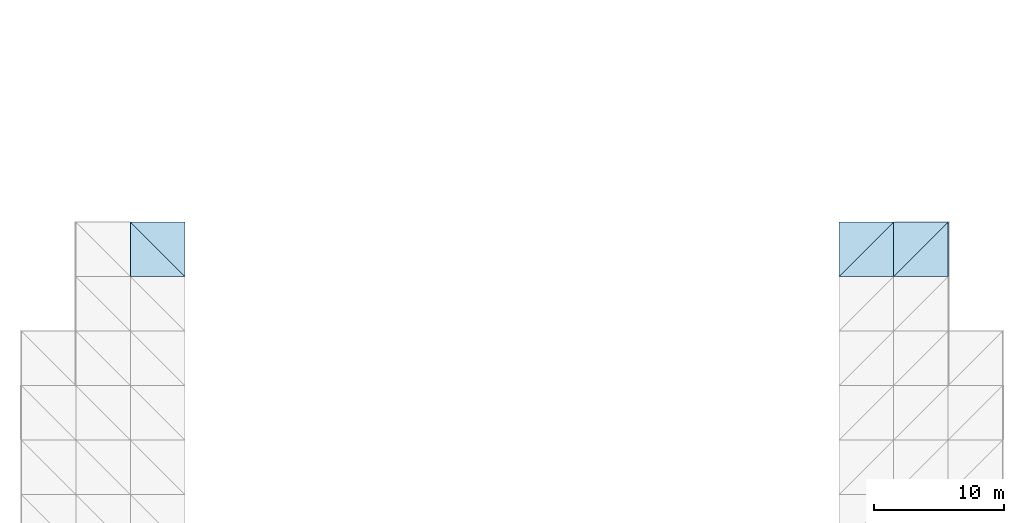
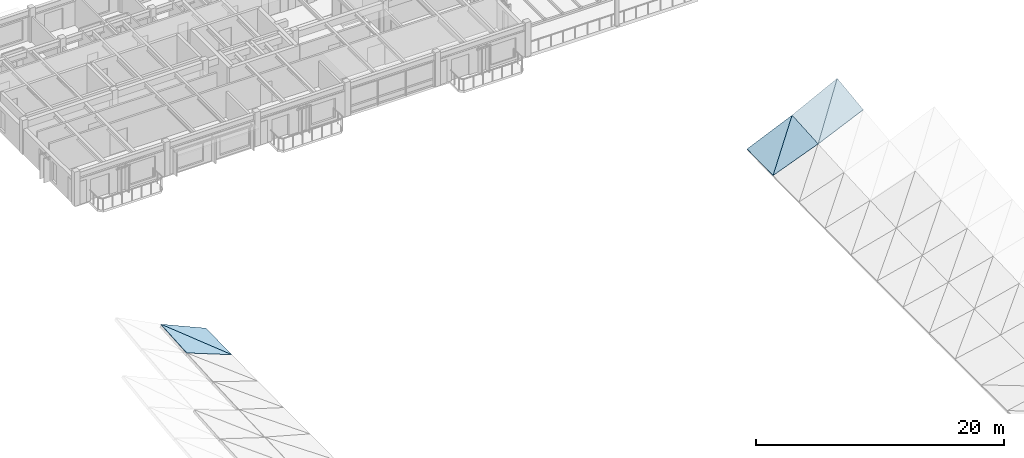
# One storey, part 20 of 24: 6 roofs.
"""IFC4 building model written with IfcOpenShell, lengths in metres."""

from ifc_helpers import new_model, si_unit, direction, frame, origin, place, context, subcontext, project, spatial, polyline, outline, extrude, material, layer, layer_set, type_object, element, save


model = new_model("IFC4")

# Units and contexts
model_context = context("Model", 3, precision=1e-05, world=origin(), true_north=direction((0.0, 1.0)))
body_context = subcontext(model_context, "Body", "Model", "MODEL_VIEW")
ifc_project = project(units=[si_unit("LENGTHUNIT", "METRE"), si_unit("AREAUNIT", "SQUARE_METRE"), si_unit("VOLUMEUNIT", "CUBIC_METRE"), si_unit("PLANEANGLEUNIT", "RADIAN"), si_unit("MASSUNIT", "GRAM", prefix="KILO")], contexts=[model_context])

# Site, building, storey
site_placement = place(None, origin())
site = spatial("IfcSite", under=ifc_project, at=site_placement, CompositionType="ELEMENT")
building_placement = place(site_placement, origin())
building = spatial("IfcBuilding", under=site, at=building_placement, Name="Cumbredor Promenade Congress Hotel", CompositionType="ELEMENT")
storey_placement = place(building_placement, frame((0.0, 0.0, 35.280029296875)))
storey = spatial("IfcBuildingStorey", under=building, at=storey_placement, Name="L10", CompositionType="ELEMENT", Elevation=35.280029296875)

# Roofs
ifc_material = material(Name="Standing-seam zinc-aluminium roofing", Category="aluminium")
ifc_layer = layer(ifc_material, 0.050048828125, Name="Standing-seam zinc-aluminium roofing", Category="aluminium")
ifc_layer_set = layer_set([ifc_layer], Name="Standing-seam zinc-aluminium roofing")
roof_type = type_object("IfcRoofType", Name="Sweeping Pavilion Standing-Seam Roof Skin 50mm", PredefinedType="FREEFORM", material=ifc_layer_set)
roof_1_placement = place(storey_placement, frame((4.199951171875, 67.199951171875, 2.1015625), z_axis=(0.363923375977, -0.063201773771, 0.929282148871), x_axis=(0.931143719856, 0.0, -0.364652400202)))
element("IfcRoof", 1, at=roof_1_placement, inside=storey, type_object=roof_type, Name="Plenary Congress Hall Standing-Seam Roof Skin 3.17.1", PredefinedType="FREEFORM", context=body_context, shape_type="SweptSolid", body=[
    extrude(outline(polyline([(0.0, 0.0), (4.510529451377057, 0.0), (-0.10416096392479564, 4.208364663139529), (0.0, 0.0)])), origin(), (0.0, 0.0, -1.0), 0.050048828125),
])
roof_2_placement = place(storey_placement, frame((8.39990234375, 67.199951171875, 0.456787109375), z_axis=(0.405170702715, -0.014984673858, 0.914118242467), x_axis=(0.0, 0.999865670213, 0.016390287682)))
element("IfcRoof", 2, at=roof_2_placement, inside=storey, type_object=roof_type, Name="Plenary Congress Hall Standing-Seam Roof Skin 3.17.2", PredefinedType="FREEFORM", context=body_context, shape_type="SweptSolid", body=[
    extrude(outline(polyline([(0.0, 0.0), (4.20051542621918, 0.0), (4.231027131194311, 4.593921003036284), (0.0, 0.0)])), origin(), (0.0, 0.0, -1.0), 0.050048828125),
])
roof_3_placement = place(storey_placement, frame((58.800048828125, 67.199951171875, 0.456787109375), z_axis=(-0.363923375977, -0.063201773771, 0.929282148871), x_axis=(0.931143719856, 0.0, 0.364652400202)))
element("IfcRoof", 3, at=roof_3_placement, inside=storey, type_object=roof_type, Name="Plenary Congress Hall Standing-Seam Roof Skin 16.17.1", PredefinedType="FREEFORM", context=body_context, shape_type="SweptSolid", body=[
    extrude(outline(polyline([(0.0, 0.0), (4.510529451377057, 0.0), (4.614690415301852, 4.208364663139529), (0.0, 0.0)])), origin(), (0.0, 0.0, -1.0), 0.050048828125),
])
roof_4_placement = place(storey_placement, frame((58.800048828125, 67.199951171875, 0.456787109375), z_axis=(-0.405170702715, -0.014984673858, 0.914118242467), x_axis=(0.672481279544, 0.672481279544, 0.309091988453)))
element("IfcRoof", 4, at=roof_4_placement, inside=storey, type_object=roof_type, Name="Plenary Congress Hall Standing-Seam Roof Skin 16.17.2", PredefinedType="FREEFORM", context=body_context, shape_type="SweptSolid", body=[
    extrude(outline(polyline([(0.0, 0.0), (6.24545440837096, 2.220446049250313e-16), (2.8456687970554406, 3.0897409184865885), (0.0, 0.0)])), origin(), (0.0, 0.0, -1.0), 0.050048828125),
])
roof_5_placement = place(storey_placement, frame((63.0, 67.199951171875, 2.1015625), z_axis=(-0.409046691077, -0.115494917277, 0.905174971263), x_axis=(0.911273146381, 0.0, 0.411802443758)))
element("IfcRoof", 5, at=roof_5_placement, inside=storey, type_object=roof_type, Name="Plenary Congress Hall Standing-Seam Roof Skin 17.17.1", PredefinedType="FREEFORM", context=body_context, shape_type="SweptSolid", body=[
    extrude(outline(polyline([(0.0, 0.0), (4.608882845450502, 0.0), (4.829563110110758, 4.228246295518701), (0.0, 0.0)])), origin(), (0.0, 0.0, -1.0), 0.050048828125),
])
roof_6_placement = place(storey_placement, frame((63.0, 67.199951171875, 2.1015625), z_axis=(-0.45453933553, -0.060439938921, 0.888673734415), x_axis=(0.654306384269, 0.654306384269, 0.379165281915)))
element("IfcRoof", 6, at=roof_6_placement, inside=storey, type_object=roof_type, Name="Plenary Congress Hall Standing-Seam Roof Skin 17.17.2", PredefinedType="FREEFORM", context=body_context, shape_type="SweptSolid", body=[
    extrude(outline(polyline([(0.0, 0.0), (6.418936560685915, 2.220446049250313e-16), (2.85636135459501, 3.0923102134720217), (0.0, 0.0)])), origin(), (0.0, 0.0, -1.0), 0.050048828125),
])

save(model, "model.ifc")
